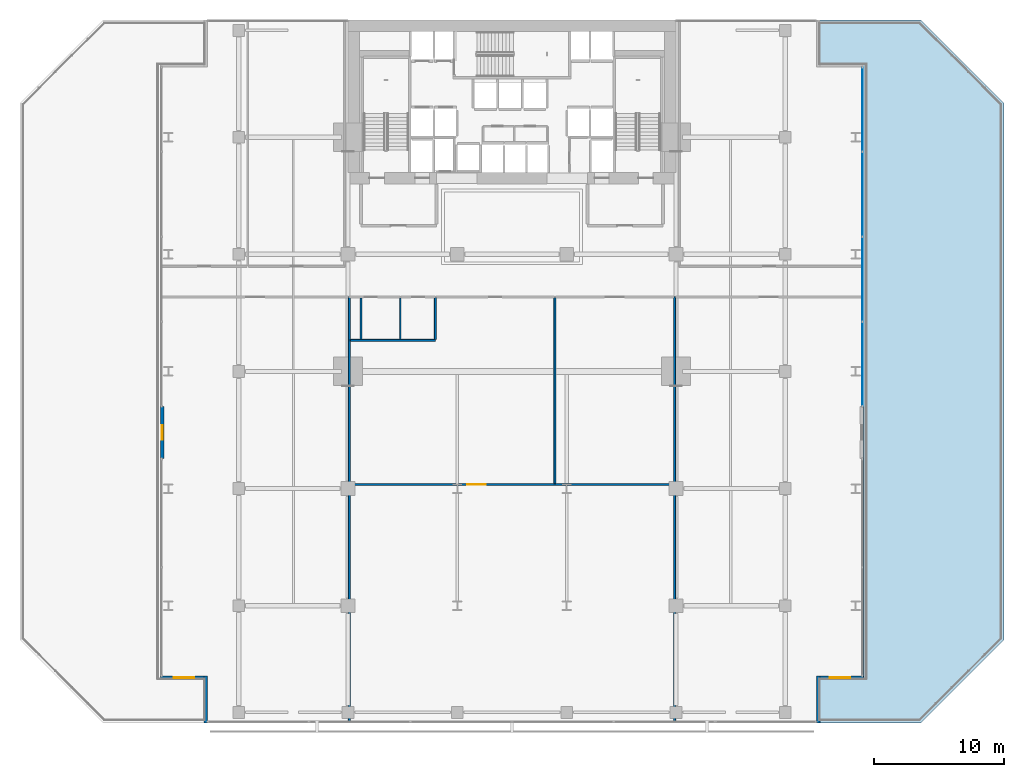
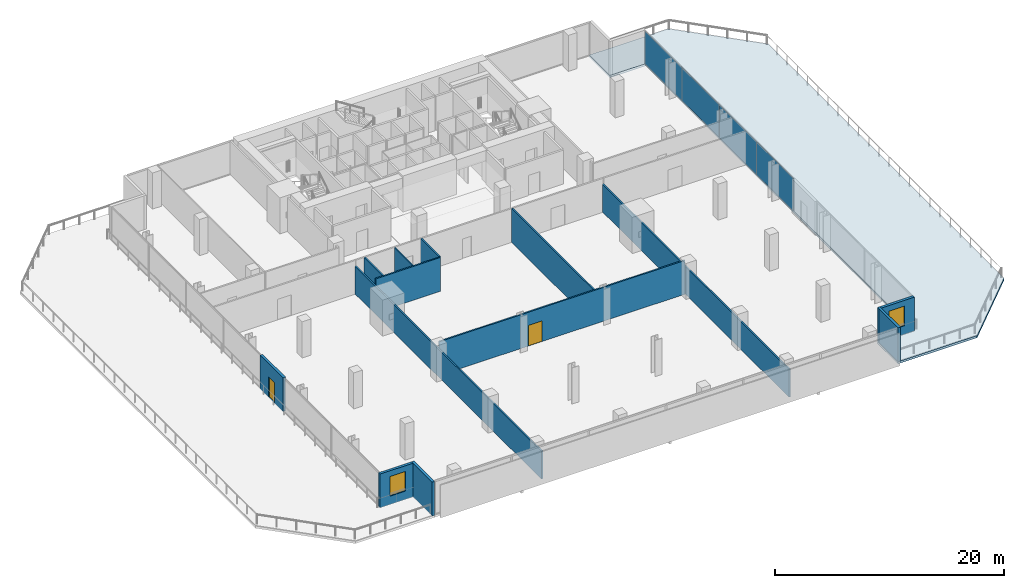
# One storey, part 24 of 31: 13 walls, 4 plates, 2 doors, 2 windows, 1 slab, 4 openings, 1 element without a shape of its own.
"""IFC4 building model written with IfcOpenShell, lengths in metres."""

from ifc_helpers import new_model, si_unit, direction, frame, frame_2d, origin, origin_2d, place, context, subcontext, project, spatial, polyline, rectangle, outline, extrude, material, layer, layer_set, type_object, element, fill, aggregate, save


model = new_model("IFC4")

# Units and contexts
model_context = context("Model", 3, precision=1e-05, world=origin(), true_north=direction((0.0, 1.0)))
body_context = subcontext(model_context, "Body", "Model", "MODEL_VIEW")
ifc_project = project(units=[si_unit("LENGTHUNIT", "METRE"), si_unit("AREAUNIT", "SQUARE_METRE"), si_unit("VOLUMEUNIT", "CUBIC_METRE"), si_unit("PLANEANGLEUNIT", "RADIAN"), si_unit("MASSUNIT", "GRAM", prefix="KILO")], contexts=[model_context])

# Site, building, storey
site_placement = place(None, origin())
site = spatial("IfcSite", under=ifc_project, at=site_placement, CompositionType="ELEMENT")
building_placement = place(site_placement, origin())
building = spatial("IfcBuilding", under=site, at=building_placement, Name="Maruvema Waterfront Hotel and Observation Tower", CompositionType="ELEMENT")
storey_placement = place(building_placement, frame((0.0, 0.0, 26.949951171875)))
storey = spatial("IfcBuildingStorey", under=building, at=storey_placement, Name="L05", CompositionType="ELEMENT", Elevation=26.949951171875)

# Slab
ifc_material_1 = material(Name="Concrete C50/60", Category="concrete")
ifc_layer_1 = layer(ifc_material_1, 0.239990234375, Name="Outdoor Setback Terrace Deck Slab 240 mm")
ifc_layer_set_1 = layer_set([ifc_layer_1], Name="Concrete C50/60")
slab_type = type_object("IfcSlabType", Name="Outdoor Setback Terrace Deck Slab 240 mm", PredefinedType="FLOOR", material=ifc_layer_set_1)
slab_placement = place(storey_placement, frame((0.0, 0.0, -0.239990234375)))
element("IfcSlab", 1, at=slab_placement, inside=storey, type_object=slab_type, Name="L05 Outdoor Setback Terrace Deck 2", PredefinedType="FLOOR", context=body_context, shape_type="SweptSolid", body=[
    extrude(outline(polyline([(69.199951171875, 54.0), (75.60009765625, 47.60009765625), (75.60009765625, 6.39990234375), (69.199951171875, 0.0), (61.199951171875, 0.0), (61.199951171875, 3.60009765625), (64.800048828125, 3.60009765625), (64.800048828125, 50.39990234375), (61.199951171875, 50.39990234375), (61.199951171875, 54.0), (69.199951171875, 54.0)])), origin(), (0.0, 0.0, 1.0), 0.239990234375),
])

# Curtain wall, plates
ifc_material_2 = material(Name="Anodised bronze aluminium and solar-control low-E IGU", Category="aluminium")
ifc_layer_2 = layer(ifc_material_2, 0.159912109375, Name="Zone 1 Bronze Inner Thermal Curtain Wall System CW-02")
ifc_layer_set_2 = layer_set([ifc_layer_2], Name="Anodised bronze aluminium and solar-control low-E IGU")
curtain_wall_type = type_object("IfcCurtainWallType", Name="Zone 1 Bronze Inner Thermal Curtain Wall System CW-02", PredefinedType="USERDEFINED", material=ifc_layer_set_2)
curtain_wall_placement = place(storey_placement, origin())
curtain_wall = element("IfcCurtainWall", 2, at=curtain_wall_placement, inside=storey, type_object=curtain_wall_type, Name="L05 Curtain Wall CW-L05-EN", ObjectType="UNITISED CURTAIN WALL", PredefinedType="USERDEFINED")
ifc_material_3 = material(Name="Laminated low-E solar-control double glazing", Category="glass")
ifc_layer_3 = layer(ifc_material_3, 0.035888671875, Name="Solar Control Double-Glazed Curtain Panel 36 mm")
ifc_layer_set_3 = layer_set([ifc_layer_3], Name="Laminated low-E solar-control double glazing")
plate_type = type_object("IfcPlateType", Name="Solar Control Double-Glazed Curtain Panel 36 mm", PredefinedType="CURTAIN_PANEL", material=ifc_layer_set_3)
plate_1_placement = place(storey_placement, frame((64.719970703125, 27.577392578125, 0.06005859375), z_axis=(0.0, 0.0, 1.0), x_axis=(0.0, 1.0, 0.0)))
plate_1 = element("IfcPlate", 3, at=plate_1_placement, type_object=plate_type, Name="CW-02 panel 1.1", PredefinedType="CURTAIN_PANEL", context=body_context, shape_type="SweptSolid", body=[
    extrude(rectangle(XDim=6.43505859375, YDim=0.028076171875, at=origin_2d()), origin(), (0.0, 0.0, 1.0), 3.489990234375),
])
plate_2_placement = place(storey_placement, frame((64.719970703125, 34.08740234375, 0.06005859375), z_axis=(0.0, 0.0, 1.0), x_axis=(0.0, 1.0, 0.0)))
plate_2 = element("IfcPlate", 4, at=plate_2_placement, type_object=plate_type, Name="CW-02 panel 2.1", PredefinedType="CURTAIN_PANEL", context=body_context, shape_type="SweptSolid", body=[
    extrude(rectangle(XDim=6.465087890625, YDim=0.028076171875, at=origin_2d()), origin(), (0.0, 0.0, 1.0), 3.489990234375),
])
plate_3_placement = place(storey_placement, frame((64.719970703125, 40.612548828125, 0.06005859375), z_axis=(0.0, 0.0, 1.0), x_axis=(0.0, 1.0, 0.0)))
plate_3 = element("IfcPlate", 5, at=plate_3_placement, type_object=plate_type, Name="CW-02 panel 3.1", PredefinedType="CURTAIN_PANEL", context=body_context, shape_type="SweptSolid", body=[
    extrude(rectangle(XDim=6.465087890625, YDim=0.028076171875, at=origin_2d()), origin(), (0.0, 0.0, 1.0), 3.489990234375),
])
plate_4_placement = place(storey_placement, frame((64.719970703125, 47.12255859375, 0.06005859375), z_axis=(0.0, 0.0, 1.0), x_axis=(0.0, 1.0, 0.0)))
plate_4 = element("IfcPlate", 6, at=plate_4_placement, type_object=plate_type, Name="CW-02 panel 4.1", PredefinedType="CURTAIN_PANEL", context=body_context, shape_type="SweptSolid", body=[
    extrude(rectangle(XDim=6.43505859375, YDim=0.028076171875, at=origin_2d()), origin(), (0.0, 0.0, 1.0), 3.489990234375),
])
aggregate(curtain_wall, [plate_1, plate_2, plate_3, plate_4])

# Walls
ifc_material_4 = material(Name="Twin-stud acoustic gypsum drywall", Category="gypsum")
ifc_layer_4 = layer(ifc_material_4, 0.14990234375, Name="Acoustic Corridor and Suite Demising Wall 150 mm")
ifc_layer_set_4 = layer_set([ifc_layer_4], Name="Twin-stud acoustic gypsum drywall")
wall_type_1 = type_object("IfcWallType", Name="Acoustic Corridor and Suite Demising Wall 150 mm", PredefinedType="PARTITIONING", material=ifc_layer_set_4)
wall_1_placement = place(storey_placement, frame((25.3798828125, 29.3798828125, 0.0), z_axis=(0.0, 0.0, 1.0), x_axis=(1.0, 0.0, 0.0)))
element("IfcWall", 7, at=wall_1_placement, inside=storey, type_object=wall_type_1, Name="L05 L05 WC South 019", PredefinedType="PARTITIONING", context=body_context, shape_type="SweptSolid", body=[
    extrude(rectangle(XDim=6.5400390625, YDim=0.14990234375, at=frame_2d((3.27001953125, 0.0))), origin(), (0.0, 0.0, 1.0), 3.610107421875),
])
wall_2_placement = place(storey_placement, frame((26.199951171875, 29.4599609375, 0.0), z_axis=(0.0, 0.0, 1.0), x_axis=(0.0, 1.0, 0.0)))
element("IfcWall", 8, at=wall_2_placement, inside=storey, type_object=wall_type_1, Name="L05 L05 WC West 020", PredefinedType="PARTITIONING", context=body_context, shape_type="SweptSolid", body=[
    extrude(rectangle(XDim=3.179931640625, YDim=0.14990234375, at=frame_2d((1.58984375, 0.0))), origin(), (0.0, 0.0, 1.0), 3.610107421875),
])
wall_3_placement = place(storey_placement, frame((31.919921875, 29.4599609375, 0.0), z_axis=(0.0, 0.0, 1.0), x_axis=(0.0, 1.0, 0.0)))
element("IfcWall", 9, at=wall_3_placement, inside=storey, type_object=wall_type_1, Name="L05 L05 WC East 022", PredefinedType="PARTITIONING", context=body_context, shape_type="SweptSolid", body=[
    extrude(rectangle(XDim=3.219970703125, YDim=0.14990234375, at=frame_2d((1.60986328125, 0.0))), origin(), (0.0, 0.0, 1.0), 3.610107421875),
])

# Wall, opening, door
wall_4_placement = place(storey_placement, frame((25.3798828125, 18.300048828125, 0.0), z_axis=(0.0, 0.0, 1.0), x_axis=(1.0, 0.0, 0.0)))
wall_4 = element("IfcWall", 10, at=wall_4_placement, inside=storey, type_object=wall_type_1, Name="L05 L05 Pool North Wall 023", PredefinedType="PARTITIONING", context=body_context, shape_type="SweptSolid", body=[
    extrude(rectangle(XDim=24.840087890625, YDim=0.14990234375, at=frame_2d((12.419921875, 0.0))), origin(), (0.0, 0.0, 1.0), 3.610107421875),
])
opening_1_placement = place(wall_4_placement, frame((9.0, 0.0, 0.0)))
opening_1 = element("IfcOpeningElement", 11, at=opening_1_placement, cuts=wall_4, Name="Opening DR-140", PredefinedType="OPENING", context=body_context, shape_type="SweptSolid", body=[
    extrude(rectangle(XDim=1.39990234375, YDim=2.199951171875, at=frame_2d((0.699951171875, 1.10009765625))), frame((0.0, 0.0849609375, 0.0), z_axis=(0.0, -1.0, 0.0), x_axis=(1.0, 0.0, 0.0)), (0.0, 0.0, 1.0), 0.169921875),
])
ifc_material_5 = material(Name="Anodised bronze framed acoustic glass leaf", Category="glass")
door_type_1 = type_object("IfcDoorType", Name="Conference and Restaurant Double Door 1400x2200 mm", OperationType="DOUBLE_DOOR_SINGLE_SWING", PredefinedType="DOOR", material=ifc_material_5)
door_1_placement = place(opening_1_placement, origin())
door_1 = element("IfcDoor", 12, at=door_1_placement, inside=storey, type_object=door_type_1, Name="L05 Pool Hall Door", OperationType="DOUBLE_DOOR_SINGLE_SWING", OverallHeight=2.199951171875, OverallWidth=1.39990234375, PredefinedType="DOOR", context=body_context, shape_type="SweptSolid", body=[
    extrude(rectangle(XDim=1.39990234375, YDim=2.199951171875, at=frame_2d((0.699951171875, 1.10009765625))), frame((0.0, 0.02490234375, 0.0), z_axis=(0.0, -1.0, 0.0), x_axis=(1.0, 0.0, 0.0)), (0.0, 0.0, 1.0), 0.050048828125),
])
fill(opening_1, door_1)

# Walls
wall_5_placement = place(storey_placement, frame((41.10009765625, 18.3798828125, 0.0), z_axis=(0.0, 0.0, 1.0), x_axis=(0.0, 1.0, 0.0)))
element("IfcWall", 13, at=wall_5_placement, inside=storey, type_object=wall_type_1, Name="L05 L05 Changing Split 024", PredefinedType="PARTITIONING", context=body_context, shape_type="SweptSolid", body=[
    extrude(rectangle(XDim=14.300048828125, YDim=0.14990234375, at=frame_2d((7.14990234375, 0.0))), origin(), (0.0, 0.0, 1.0), 3.610107421875),
])
for number, where, z_axis, x_axis, name in (
    (14, (25.300048828125, 0.080078125, 0.0), (0.0, 0.0, 1.0), (0.0, 1.0, 0.0), "L05 L05 West Spine 029"),
    (15, (50.300048828125, 0.080078125, 0.0), (0.0, 0.0, 1.0), (0.0, 1.0, 0.0), "L05 L05 East Spine 030"),
):
    element("IfcWall", number, at=place(storey_placement, frame(where, z_axis=z_axis, x_axis=x_axis)), inside=storey, type_object=wall_type_1, Name=name, PredefinedType="PARTITIONING", context=body_context, shape_type="SweptSolid", body=[
        extrude(rectangle(XDim=32.639892578125, YDim=0.14990234375, at=frame_2d((16.31982421875, 0.0))), origin(), (0.0, 0.0, 1.0), 2.97509765625),
    ])
ifc_material_6 = material(Name="Moisture-resistant cement-board drywall", Category="gypsum")
ifc_layer_5 = layer(ifc_material_6, 0.10009765625, Name="En-Suite Moisture-Resistant Partition 100 mm")
ifc_layer_set_5 = layer_set([ifc_layer_5], Name="Moisture-resistant cement-board drywall")
wall_type_2 = type_object("IfcWallType", Name="En-Suite Moisture-Resistant Partition 100 mm", PredefinedType="PARTITIONING", material=ifc_layer_set_5)
wall_6_placement = place(storey_placement, frame((29.219970703125, 29.4599609375, 0.0), z_axis=(0.0, 0.0, 1.0), x_axis=(0.0, 1.0, 0.0)))
element("IfcWall", 16, at=wall_6_placement, inside=storey, type_object=wall_type_2, Name="L05 L05 WC Split 021", PredefinedType="PARTITIONING", context=body_context, shape_type="SweptSolid", body=[
    extrude(rectangle(XDim=3.179931640625, YDim=0.10009765625, at=frame_2d((1.58984375, 0.0))), origin(), (0.0, 0.0, 1.0), 3.610107421875),
])
ifc_material_7 = material(Name="Precast concrete C45/55 with honed Pernambuco granite facing", Category="masonry")
ifc_layer_6 = layer(ifc_material_7, 0.260009765625, Name="Exterior Granite Clad Spandrel and Pier Wall 260 mm")
ifc_layer_set_6 = layer_set([ifc_layer_6], Name="Precast concrete C45/55 with honed Pernambuco granite facing")
wall_type_3 = type_object("IfcWallType", Name="Exterior Granite Clad Spandrel and Pier Wall 260 mm", PredefinedType="SOLIDWALL", material=ifc_layer_set_6)
wall_7_placement = place(storey_placement, frame((14.27001953125, 0.0, 0.0), z_axis=(0.0, 0.0, 1.0), x_axis=(0.0, 1.0, 0.0)))
element("IfcWall", 17, at=wall_7_placement, inside=storey, type_object=wall_type_3, Name="L05 Corner Notch Granite Pier Wall SW1", PredefinedType="SOLIDWALL", context=body_context, shape_type="SweptSolid", body=[
    extrude(rectangle(XDim=3.60009765625, YDim=0.260009765625, at=frame_2d((1.800048828125, 0.0))), origin(), (0.0, 0.0, 1.0), 3.610107421875),
])

# Wall, opening, window
wall_8_placement = place(storey_placement, frame((14.39990234375, 3.469970703125, 0.0), z_axis=(0.0, 0.0, 1.0), x_axis=(-1.0, 0.0, 0.0)))
wall_8 = element("IfcWall", 18, at=wall_8_placement, inside=storey, type_object=wall_type_3, Name="L05 Corner Notch Granite Pier Wall SW2", PredefinedType="SOLIDWALL", context=body_context, shape_type="SweptSolid", body=[
    extrude(rectangle(XDim=3.599853515625, YDim=0.260009765625, at=frame_2d((1.7998046875, 0.0))), origin(), (0.0, 0.0, 1.0), 3.610107421875),
])
opening_2_placement = place(wall_8_placement, frame((1.0, 0.0, 0.89990234375)))
opening_2 = element("IfcOpeningElement", 19, at=opening_2_placement, cuts=wall_8, Name="Opening WN-01", PredefinedType="OPENING", context=body_context, shape_type="SweptSolid", body=[
    extrude(rectangle(XDim=1.60009765625, YDim=2.10009765625, at=frame_2d((0.800048828125, 1.050048828125))), frame((0.0, 0.14013671875, 0.0), z_axis=(0.0, -1.0, 0.0), x_axis=(1.0, 0.0, 0.0)), (0.0, 0.0, 1.0), 0.280029296875),
])
ifc_material_8 = material(Name="Anodised bronze aluminium frame with laminated low-E glass", Category="aluminium")
window_type = type_object("IfcWindowType", Name="Corner Notch Feature Window 1600x2100 mm", PartitioningType="SINGLE_PANEL", PredefinedType="WINDOW", material=ifc_material_8)
window_1_placement = place(opening_2_placement, origin())
window_1 = element("IfcWindow", 20, at=window_1_placement, inside=storey, type_object=window_type, Name="L05 Corner Notch Punched Window SW2", OverallHeight=2.10009765625, OverallWidth=1.60009765625, PartitioningType="SINGLE_PANEL", PredefinedType="WINDOW", context=body_context, shape_type="SweptSolid", body=[
    extrude(rectangle(XDim=1.60009765625, YDim=2.10009765625, at=frame_2d((0.800048828125, 1.050048828125))), frame((0.0, 0.030029296875, 0.0), z_axis=(0.0, -1.0, 0.0), x_axis=(1.0, 0.0, 0.0)), (0.0, 0.0, 1.0), 0.06005859375),
])
fill(opening_2, window_1)

# Wall
wall_9_placement = place(storey_placement, frame((61.330078125, 3.60009765625, 0.0), z_axis=(0.0, 0.0, 1.0), x_axis=(0.0, -1.0, 0.0)))
element("IfcWall", 21, at=wall_9_placement, inside=storey, type_object=wall_type_3, Name="L05 Corner Notch Granite Pier Wall SE1", PredefinedType="SOLIDWALL", context=body_context, shape_type="SweptSolid", body=[
    extrude(rectangle(XDim=3.60009765625, YDim=0.260009765625, at=frame_2d((1.800048828125, 0.0))), origin(), (0.0, 0.0, 1.0), 3.610107421875),
])

# Wall, opening, window
wall_10_placement = place(storey_placement, frame((64.800048828125, 3.469970703125, 0.0), z_axis=(0.0, 0.0, 1.0), x_axis=(-1.0, 0.0, 0.0)))
wall_10 = element("IfcWall", 22, at=wall_10_placement, inside=storey, type_object=wall_type_3, Name="L05 Corner Notch Granite Pier Wall SE2", PredefinedType="SOLIDWALL", context=body_context, shape_type="SweptSolid", body=[
    extrude(rectangle(XDim=3.60009765625, YDim=0.260009765625, at=frame_2d((1.800048828125, 0.0))), origin(), (0.0, 0.0, 1.0), 3.610107421875),
])
opening_3_placement = place(wall_10_placement, frame((1.0, 0.0, 0.89990234375)))
opening_3 = element("IfcOpeningElement", 23, at=opening_3_placement, cuts=wall_10, Name="Opening WN-01", PredefinedType="OPENING", context=body_context, shape_type="SweptSolid", body=[
    extrude(rectangle(XDim=1.60009765625, YDim=2.10009765625, at=frame_2d((0.800048828125, 1.050048828125))), frame((0.0, 0.14013671875, 0.0), z_axis=(0.0, -1.0, 0.0), x_axis=(1.0, 0.0, 0.0)), (0.0, 0.0, 1.0), 0.280029296875),
])
window_2_placement = place(opening_3_placement, origin())
window_2 = element("IfcWindow", 24, at=window_2_placement, inside=storey, type_object=window_type, Name="L05 Corner Notch Punched Window SE2", OverallHeight=2.10009765625, OverallWidth=1.60009765625, PartitioningType="SINGLE_PANEL", PredefinedType="WINDOW", context=body_context, shape_type="SweptSolid", body=[
    extrude(rectangle(XDim=1.60009765625, YDim=2.10009765625, at=frame_2d((0.800048828125, 1.050048828125))), frame((0.0, 0.030029296875, 0.0), z_axis=(0.0, -1.0, 0.0), x_axis=(1.0, 0.0, 0.0)), (0.0, 0.0, 1.0), 0.06005859375),
])
fill(opening_3, window_2)

# Wall, opening, door
wall_11_placement = place(storey_placement, frame((10.929931640625, 20.300048828125, 0.0), z_axis=(0.0, 0.0, 1.0), x_axis=(0.0, 1.0, 0.0)))
wall_11 = element("IfcWall", 25, at=wall_11_placement, inside=storey, type_object=wall_type_3, Name="L05 W Terrace Access Wall", PredefinedType="SOLIDWALL", context=body_context, shape_type="SweptSolid", body=[
    extrude(rectangle(XDim=4.0, YDim=0.260009765625, at=frame_2d((2.0, 0.0))), origin(), (0.0, 0.0, 1.0), 3.610107421875),
])
opening_4_placement = place(wall_11_placement, frame((1.449951171875, 0.0, 0.0)))
opening_4 = element("IfcOpeningElement", 26, at=opening_4_placement, cuts=wall_11, Name="Opening TD-01", PredefinedType="OPENING", context=body_context, shape_type="SweptSolid", body=[
    extrude(rectangle(XDim=1.10009765625, YDim=2.199951171875, at=frame_2d((0.550048828125, 1.10009765625))), frame((0.0, 0.14013671875, 0.0), z_axis=(0.0, -1.0, 0.0), x_axis=(1.0, 0.0, 0.0)), (0.0, 0.0, 1.0), 0.280029296875),
])
ifc_material_9 = material(Name="Anodised bronze aluminium and laminated safety glass", Category="aluminium")
door_type_2 = type_object("IfcDoorType", Name="Setback Terrace Weatherproof Glazed Door 1100x2200 mm", OperationType="NOTDEFINED", PredefinedType="DOOR", material=ifc_material_9)
door_2_placement = place(opening_4_placement, origin())
door_2 = element("IfcDoor", 27, at=door_2_placement, inside=storey, type_object=door_type_2, Name="L05 W Terrace Access Door", OperationType="SINGLE_SWING_LEFT", OverallHeight=2.199951171875, OverallWidth=1.10009765625, PredefinedType="DOOR", context=body_context, shape_type="SweptSolid", body=[
    extrude(rectangle(XDim=1.10009765625, YDim=2.199951171875, at=frame_2d((0.550048828125, 1.10009765625))), frame((0.0, 0.02490234375, 0.0), z_axis=(0.0, -1.0, 0.0), x_axis=(1.0, 0.0, 0.0)), (0.0, 0.0, 1.0), 0.050048828125),
])
fill(opening_4, door_2)

save(model, "model.ifc")
